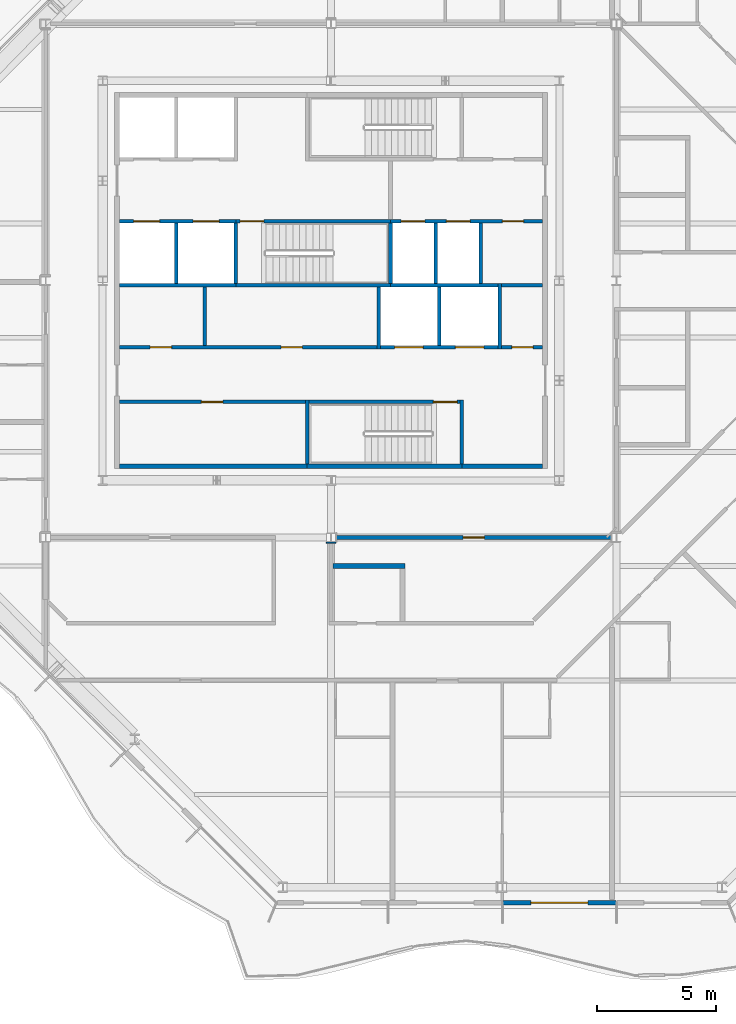
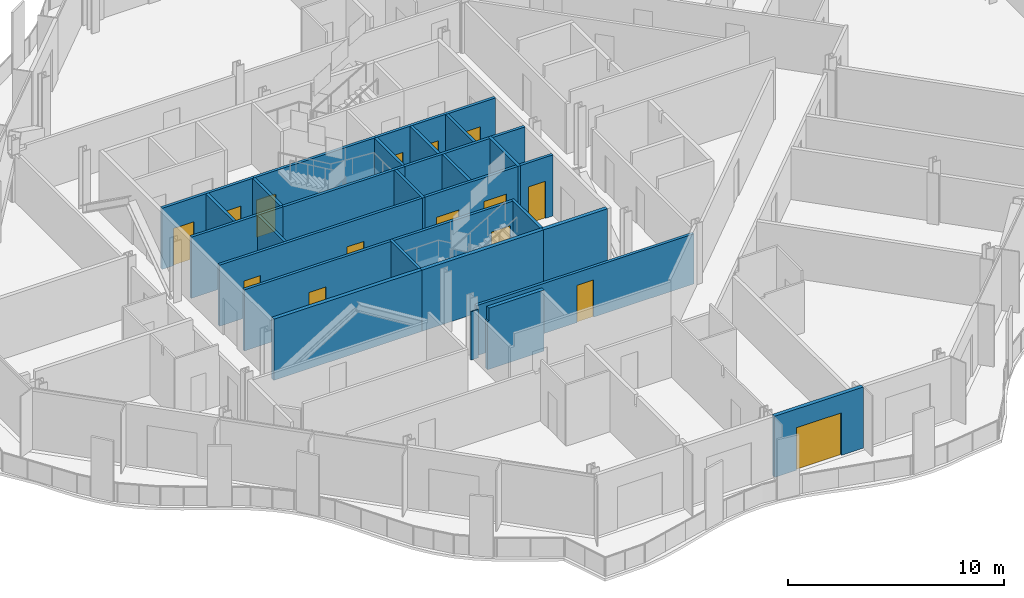
# One storey, part 8 of 17: 30 walls, 15 doors, 15 openings.
"""IFC4 building model written with IfcOpenShell, lengths in metres."""

from ifc_helpers import new_model, si_unit, direction, frame, frame_2d, origin, place, context, subcontext, project, spatial, polyline, rectangle, outline, extrude, material, layer, layer_set, type_object, element, fill, save


model = new_model("IFC4")

# Units and contexts
model_context = context("Model", 3, precision=1e-05, world=origin(), true_north=direction((0.0, 1.0)))
body_context = subcontext(model_context, "Body", "Model", "MODEL_VIEW")
ifc_project = project(units=[si_unit("LENGTHUNIT", "METRE"), si_unit("AREAUNIT", "SQUARE_METRE"), si_unit("VOLUMEUNIT", "CUBIC_METRE"), si_unit("PLANEANGLEUNIT", "RADIAN"), si_unit("MASSUNIT", "GRAM", prefix="KILO")], contexts=[model_context])

# Site, building, storey
site_placement = place(None, origin())
site = spatial("IfcSite", under=ifc_project, at=site_placement, CompositionType="ELEMENT")
building_placement = place(site_placement, origin())
building = spatial("IfcBuilding", under=site, at=building_placement, Name="Cairn Pilgrim Tower", CompositionType="ELEMENT")
storey_placement = place(building_placement, frame((0.0, 0.0, 228.60009765625)))
storey = spatial("IfcBuildingStorey", under=building, at=storey_placement, Name="L58", CompositionType="ELEMENT", Elevation=228.60009765625)

# Wall, opening, door
ifc_material_1 = material(Name="Bronze anodised aluminium insulated sandwich panel with mineral wool fill", Category="aluminium")
ifc_layer_1 = layer(ifc_material_1, 0.199951171875)
ifc_layer_set_1 = layer_set([ifc_layer_1], Name="BRONZE INFILL FRAME WALL 200")
wall_type_1 = type_object("IfcWallType", Name="BRONZE INFILL FRAME WALL 200", PredefinedType="NOTDEFINED", material=ifc_layer_set_1)
wall_1_placement = place(storey_placement, frame((14.429931640625, -23.75, 0.0), z_axis=(0.0, 0.0, 1.0), x_axis=(1.0, 0.0, 0.0)))
wall_1 = element("IfcWall", 1, at=wall_1_placement, inside=storey, type_object=wall_type_1, Name="Bronze infill frame wall IW-S3", PredefinedType="NOTDEFINED", context=body_context, shape_type="SweptSolid", body=[
    extrude(rectangle(XDim=4.739990234375, YDim=0.199951171875, at=frame_2d((2.3701171875, 0.0))), origin(), (0.0, 0.0, 1.0), 3.449951171875),
])
opening_1_placement = place(wall_1_placement, frame((1.169921875, 0.0, 0.0)))
opening_1 = element("IfcOpeningElement", 2, at=opening_1_placement, cuts=wall_1, Name="Opening 5814SB", PredefinedType="OPENING", context=body_context, shape_type="SweptSolid", body=[
    extrude(rectangle(XDim=2.39990234375, YDim=2.39990234375, at=frame_2d((1.199951171875, 1.199951171875))), frame((0.0, 0.10986328125, 0.0), z_axis=(0.0, -1.0, 0.0), x_axis=(1.0, 0.0, 0.0)), (0.0, 0.0, 1.0), 0.219970703125),
])
ifc_material_2 = material(Name="Bronze anodised aluminium frame with tinted low-E glass", Category="aluminium")
door_type_1 = type_object("IfcDoorType", Name="BALCONY SLIDING DOOR 2400x2400", OperationType="DOUBLE_DOOR_SLIDING", PredefinedType="DOOR", material=ifc_material_2)
door_1_placement = place(opening_1_placement, origin())
door_1 = element("IfcDoor", 3, at=door_1_placement, inside=storey, type_object=door_type_1, Name="Balcony sliding door 5814SB", OperationType="SINGLE_SWING_LEFT", OverallHeight=2.39990234375, OverallWidth=2.39990234375, PredefinedType="DOOR", context=body_context, shape_type="SweptSolid", body=[
    extrude(rectangle(XDim=2.39990234375, YDim=2.39990234375, at=frame_2d((1.199951171875, 1.199951171875))), frame((0.0, 0.02490234375, 0.0), z_axis=(0.0, -1.0, 0.0), x_axis=(1.0, 0.0, 0.0)), (0.0, 0.0, 1.0), 0.050048828125),
])
fill(opening_1, door_1)

# Walls
ifc_material_3 = material(Name="Concrete C32/40", Category="concrete")
ifc_layer_2 = layer(ifc_material_3, 0.199951171875)
ifc_layer_set_2 = layer_set([ifc_layer_2], Name="CORE OUTER WALL 200 EI 120")
wall_type_2 = type_object("IfcWallType", Name="CORE OUTER WALL 200 EI 120", PredefinedType="SOLIDWALL", material=ifc_layer_set_2)
wall_2_placement = place(storey_placement, frame((-1.699951171875, -5.39990234375, 0.0), z_axis=(0.0, 0.0, 1.0), x_axis=(1.0, 0.0, 0.0)))
element("IfcWall", 4, at=wall_2_placement, inside=storey, type_object=wall_type_2, Name="CW:L58:H01-1", PredefinedType="SOLIDWALL", context=body_context, shape_type="SweptSolid", body=[
    extrude(rectangle(XDim=7.89990234375, YDim=0.199951171875, at=frame_2d((3.949951171875, 0.0))), origin(), (0.0, 0.0, 1.0), 3.449951171875),
])
wall_3_placement = place(storey_placement, frame((12.699951171875, -5.39990234375, 0.0), z_axis=(0.0, 0.0, 1.0), x_axis=(1.0, 0.0, 0.0)))
element("IfcWall", 5, at=wall_3_placement, inside=storey, type_object=wall_type_2, Name="CW:L58:H01-3", PredefinedType="SOLIDWALL", context=body_context, shape_type="SweptSolid", body=[
    extrude(rectangle(XDim=3.400146484375, YDim=0.199951171875, at=frame_2d((1.7001953125, 0.0))), origin(), (0.0, 0.0, 1.0), 3.449951171875),
])

# Wall, opening, door
ifc_layer_3 = layer(ifc_material_3, 0.14990234375)
ifc_layer_set_3 = layer_set([ifc_layer_3], Name="CORE PARTITION 150 EI 60")
wall_type_3 = type_object("IfcWallType", Name="CORE PARTITION 150 EI 60", PredefinedType="PARTITIONING", material=ifc_layer_set_3)
wall_4_placement = place(storey_placement, frame((-1.699951171875, -2.699951171875, 0.0), z_axis=(0.0, 0.0, 1.0), x_axis=(1.0, 0.0, 0.0)))
wall_4 = element("IfcWall", 6, at=wall_4_placement, inside=storey, type_object=wall_type_3, Name="CW:L58:H02", PredefinedType="PARTITIONING", context=body_context, shape_type="SweptSolid", body=[
    extrude(rectangle(XDim=7.824951171875, YDim=0.14990234375, at=frame_2d((3.91259765625, 0.0))), origin(), (0.0, 0.0, 1.0), 3.449951171875),
])
opening_2_placement = place(wall_4_placement, frame((3.449951171875, 0.0, 0.0)))
opening_2 = element("IfcOpeningElement", 7, at=opening_2_placement, cuts=wall_4, Name="Opening RD-R1W1", PredefinedType="OPENING", context=body_context, shape_type="SweptSolid", body=[
    extrude(rectangle(XDim=0.89990234375, YDim=2.10009765625, at=frame_2d((0.449951171875, 1.050048828125))), frame((0.0, 0.0849609375, 0.0), z_axis=(0.0, -1.0, 0.0), x_axis=(1.0, 0.0, 0.0)), (0.0, 0.0, 1.0), 0.169921875),
])
ifc_material_4 = material(Name="Painted steel", Category="steel")
door_type_2 = type_object("IfcDoorType", Name="SERVICE ROOM DOOR 900x2100", OperationType="SINGLE_SWING_LEFT", PredefinedType="DOOR", material=ifc_material_4)
door_2_placement = place(opening_2_placement, origin())
door_2 = element("IfcDoor", 8, at=door_2_placement, inside=storey, type_object=door_type_2, Name="RD-R1W1", OperationType="SINGLE_SWING_LEFT", OverallHeight=2.10009765625, OverallWidth=0.89990234375, PredefinedType="DOOR", context=body_context, shape_type="SweptSolid", body=[
    extrude(rectangle(XDim=0.89990234375, YDim=2.10009765625, at=frame_2d((0.449951171875, 1.050048828125))), frame((0.0, 0.02490234375, 0.0), z_axis=(0.0, -1.0, 0.0), x_axis=(1.0, 0.0, 0.0)), (0.0, 0.0, 1.0), 0.050048828125),
])
fill(opening_2, door_2)

# Wall, openings, doors
wall_5_placement = place(storey_placement, frame((-1.699951171875, -0.39990234375, 0.0), z_axis=(0.0, 0.0, 1.0), x_axis=(1.0, 0.0, 0.0)))
wall_5 = element("IfcWall", 9, at=wall_5_placement, inside=storey, type_object=wall_type_3, Name="CW:L58:H04", PredefinedType="PARTITIONING", context=body_context, shape_type="SweptSolid", body=[
    extrude(rectangle(XDim=10.824951171875, YDim=0.14990234375, at=frame_2d((5.41259765625, 0.0))), origin(), (0.0, 0.0, 1.0), 3.449951171875),
])
opening_3_placement = place(wall_5_placement, frame((1.300048828125, 0.0, 0.0)))
opening_3 = element("IfcOpeningElement", 10, at=opening_3_placement, cuts=wall_5, Name="Opening RD-R2W1", PredefinedType="OPENING", context=body_context, shape_type="SweptSolid", body=[
    extrude(rectangle(XDim=0.89990234375, YDim=2.10009765625, at=frame_2d((0.449951171875, 1.050048828125))), frame((0.0, 0.0849609375, 0.0), z_axis=(0.0, -1.0, 0.0), x_axis=(1.0, 0.0, 0.0)), (0.0, 0.0, 1.0), 0.169921875),
])
opening_4_placement = place(wall_5_placement, frame((6.800048828125, 0.0, 0.0)))
opening_4 = element("IfcOpeningElement", 11, at=opening_4_placement, cuts=wall_5, Name="Opening RD-R2W2", PredefinedType="OPENING", context=body_context, shape_type="SweptSolid", body=[
    extrude(rectangle(XDim=0.89990234375, YDim=2.10009765625, at=frame_2d((0.449951171875, 1.050048828125))), frame((0.0, 0.0849609375, 0.0), z_axis=(0.0, -1.0, 0.0), x_axis=(1.0, 0.0, 0.0)), (0.0, 0.0, 1.0), 0.169921875),
])
door_3_placement = place(opening_3_placement, origin())
door_3 = element("IfcDoor", 12, at=door_3_placement, inside=storey, type_object=door_type_2, Name="RD-R2W1", OperationType="SINGLE_SWING_RIGHT", OverallHeight=2.10009765625, OverallWidth=0.89990234375, PredefinedType="DOOR", context=body_context, shape_type="SweptSolid", body=[
    extrude(rectangle(XDim=0.89990234375, YDim=2.10009765625, at=frame_2d((0.449951171875, 1.050048828125))), frame((0.0, 0.02490234375, 0.0), z_axis=(0.0, -1.0, 0.0), x_axis=(1.0, 0.0, 0.0)), (0.0, 0.0, 1.0), 0.050048828125),
])
fill(opening_3, door_3)
door_4_placement = place(opening_4_placement, origin())
door_4 = element("IfcDoor", 13, at=door_4_placement, inside=storey, type_object=door_type_2, Name="RD-R2W2", OperationType="SINGLE_SWING_LEFT", OverallHeight=2.10009765625, OverallWidth=0.89990234375, PredefinedType="DOOR", context=body_context, shape_type="SweptSolid", body=[
    extrude(rectangle(XDim=0.89990234375, YDim=2.10009765625, at=frame_2d((0.449951171875, 1.050048828125))), frame((0.0, 0.02490234375, 0.0), z_axis=(0.0, -1.0, 0.0), x_axis=(1.0, 0.0, 0.0)), (0.0, 0.0, 1.0), 0.050048828125),
])
fill(opening_4, door_4)

# Wall, opening, door
wall_6_placement = place(storey_placement, frame((14.375, -0.39990234375, 0.0), z_axis=(0.0, 0.0, 1.0), x_axis=(1.0, 0.0, 0.0)))
wall_6 = element("IfcWall", 14, at=wall_6_placement, inside=storey, type_object=wall_type_3, Name="CW:L58:H06", PredefinedType="PARTITIONING", context=body_context, shape_type="SweptSolid", body=[
    extrude(rectangle(XDim=1.72509765625, YDim=0.14990234375, at=frame_2d((0.862548828125, 0.0))), origin(), (0.0, 0.0, 1.0), 3.449951171875),
])
opening_5_placement = place(wall_6_placement, frame((0.425048828125, 0.0, 0.0)))
opening_5 = element("IfcOpeningElement", 15, at=opening_5_placement, cuts=wall_6, Name="Opening RD-R2E", PredefinedType="OPENING", context=body_context, shape_type="SweptSolid", body=[
    extrude(rectangle(XDim=0.89990234375, YDim=2.10009765625, at=frame_2d((0.449951171875, 1.050048828125))), frame((0.0, 0.0849609375, 0.0), z_axis=(0.0, -1.0, 0.0), x_axis=(1.0, 0.0, 0.0)), (0.0, 0.0, 1.0), 0.169921875),
])
door_5_placement = place(opening_5_placement, origin())
door_5 = element("IfcDoor", 16, at=door_5_placement, inside=storey, type_object=door_type_2, Name="RD-R2E", OperationType="SINGLE_SWING_RIGHT", OverallHeight=2.10009765625, OverallWidth=0.89990234375, PredefinedType="DOOR", context=body_context, shape_type="SweptSolid", body=[
    extrude(rectangle(XDim=0.89990234375, YDim=2.10009765625, at=frame_2d((0.449951171875, 1.050048828125))), frame((0.0, 0.02490234375, 0.0), z_axis=(0.0, -1.0, 0.0), x_axis=(1.0, 0.0, 0.0)), (0.0, 0.0, 1.0), 0.050048828125),
])
fill(opening_5, door_5)

# Walls
wall_7_placement = place(storey_placement, frame((14.375, 2.199951171875, 0.0), z_axis=(0.0, 0.0, 1.0), x_axis=(1.0, 0.0, 0.0)))
element("IfcWall", 17, at=wall_7_placement, inside=storey, type_object=wall_type_3, Name="CW:L58:H08", PredefinedType="PARTITIONING", context=body_context, shape_type="SweptSolid", body=[
    extrude(rectangle(XDim=1.72509765625, YDim=0.14990234375, at=frame_2d((0.862548828125, 0.0))), origin(), (0.0, 0.0, 1.0), 3.449951171875),
])
wall_8_placement = place(storey_placement, frame((1.89990234375, -0.324951171875, 0.0), z_axis=(0.0, 0.0, 1.0), x_axis=(0.0, 1.0, 0.0)))
element("IfcWall", 18, at=wall_8_placement, inside=storey, type_object=wall_type_3, Name="CW:L58:V16", PredefinedType="PARTITIONING", context=body_context, shape_type="SweptSolid", body=[
    extrude(rectangle(XDim=2.449951171875, YDim=0.14990234375, at=frame_2d((1.22509765625, 0.0))), origin(), (0.0, 0.0, 1.0), 3.449951171875),
])

# Wall, openings, doors
ifc_layer_4 = layer(ifc_material_3, 0.14990234375)
ifc_layer_set_4 = layer_set([ifc_layer_4], Name="CORE SHAFT WALL 150 EI 120")
wall_type_4 = type_object("IfcWallType", Name="CORE SHAFT WALL 150 EI 120", PredefinedType="SOLIDWALL", material=ifc_layer_set_4)
wall_9_placement = place(storey_placement, frame((9.27490234375, -0.39990234375, 0.0), z_axis=(0.0, 0.0, 1.0), x_axis=(1.0, 0.0, 0.0)))
wall_9 = element("IfcWall", 19, at=wall_9_placement, inside=storey, type_object=wall_type_4, Name="CW:L58:H05", PredefinedType="SOLIDWALL", context=body_context, shape_type="SweptSolid", body=[
    extrude(rectangle(XDim=4.9501953125, YDim=0.14990234375, at=frame_2d((2.47509765625, 0.0))), origin(), (0.0, 0.0, 1.0), 3.449951171875),
])
opening_6_placement = place(wall_9_placement, frame((0.60009765625, 0.0, 0.0)))
opening_6 = element("IfcOpeningElement", 20, at=opening_6_placement, cuts=wall_9, Name="Opening LD-SV1", PredefinedType="OPENING", context=body_context, shape_type="SweptSolid", body=[
    extrude(rectangle(XDim=1.199951171875, YDim=2.10009765625, at=frame_2d((0.60009765625, 1.050048828125))), frame((0.0, 0.0849609375, 0.0), z_axis=(0.0, -1.0, 0.0), x_axis=(1.0, 0.0, 0.0)), (0.0, 0.0, 1.0), 0.169921875),
])
opening_7_placement = place(wall_9_placement, frame((3.14990234375, 0.0, 0.0)))
opening_7 = element("IfcOpeningElement", 21, at=opening_7_placement, cuts=wall_9, Name="Opening LD-SV2", PredefinedType="OPENING", context=body_context, shape_type="SweptSolid", body=[
    extrude(rectangle(XDim=1.199951171875, YDim=2.10009765625, at=frame_2d((0.60009765625, 1.050048828125))), frame((0.0, 0.0849609375, 0.0), z_axis=(0.0, -1.0, 0.0), x_axis=(1.0, 0.0, 0.0)), (0.0, 0.0, 1.0), 0.169921875),
])
ifc_material_5 = material(Name="Stainless steel", Category="steel")
door_type_3 = type_object("IfcDoorType", Name="LIFT LANDING DOOR 1200x2100", OperationType="DOUBLE_DOOR_SLIDING", PredefinedType="DOOR", material=ifc_material_5)
door_6_placement = place(opening_6_placement, origin())
door_6 = element("IfcDoor", 22, at=door_6_placement, inside=storey, type_object=door_type_3, Name="LANDING DOOR SV1", OperationType="DOUBLE_DOOR_SLIDING", OverallHeight=2.10009765625, OverallWidth=1.199951171875, PredefinedType="DOOR", context=body_context, shape_type="SweptSolid", body=[
    extrude(rectangle(XDim=1.199951171875, YDim=2.10009765625, at=frame_2d((0.60009765625, 1.050048828125))), frame((0.0, 0.02490234375, 0.0), z_axis=(0.0, -1.0, 0.0), x_axis=(1.0, 0.0, 0.0)), (0.0, 0.0, 1.0), 0.050048828125),
])
fill(opening_6, door_6)
door_7_placement = place(opening_7_placement, origin())
door_7 = element("IfcDoor", 23, at=door_7_placement, inside=storey, type_object=door_type_3, Name="LANDING DOOR SV2", OperationType="DOUBLE_DOOR_SLIDING", OverallHeight=2.10009765625, OverallWidth=1.199951171875, PredefinedType="DOOR", context=body_context, shape_type="SweptSolid", body=[
    extrude(rectangle(XDim=1.199951171875, YDim=2.10009765625, at=frame_2d((0.60009765625, 1.050048828125))), frame((0.0, 0.02490234375, 0.0), z_axis=(0.0, -1.0, 0.0), x_axis=(1.0, 0.0, 0.0)), (0.0, 0.0, 1.0), 0.050048828125),
])
fill(opening_7, door_7)

# Walls
wall_10_placement = place(storey_placement, frame((-1.699951171875, 2.199951171875, 0.0), z_axis=(0.0, 0.0, 1.0), x_axis=(1.0, 0.0, 0.0)))
element("IfcWall", 24, at=wall_10_placement, inside=storey, type_object=wall_type_4, Name="CW:L58:H07-1", PredefinedType="SOLIDWALL", context=body_context, shape_type="SweptSolid", body=[
    extrude(rectangle(XDim=4.89990234375, YDim=0.14990234375, at=frame_2d((2.449951171875, 0.0))), origin(), (0.0, 0.0, 1.0), 3.449951171875),
])
wall_11_placement = place(storey_placement, frame((9.699951171875, 2.199951171875, 0.0), z_axis=(0.0, 0.0, 1.0), x_axis=(1.0, 0.0, 0.0)))
element("IfcWall", 25, at=wall_11_placement, inside=storey, type_object=wall_type_4, Name="CW:L58:H07-3", PredefinedType="SOLIDWALL", context=body_context, shape_type="SweptSolid", body=[
    extrude(rectangle(XDim=4.525146484375, YDim=0.14990234375, at=frame_2d((2.2626953125, 0.0))), origin(), (0.0, 0.0, 1.0), 3.449951171875),
])

# Wall, openings, doors
wall_12_placement = place(storey_placement, frame((-1.699951171875, 4.89990234375, 0.0), z_axis=(0.0, 0.0, 1.0), x_axis=(1.0, 0.0, 0.0)))
wall_12 = element("IfcWall", 26, at=wall_12_placement, inside=storey, type_object=wall_type_4, Name="CW:L58:H09-1", PredefinedType="SOLIDWALL", context=body_context, shape_type="SweptSolid", body=[
    extrude(rectangle(XDim=4.89990234375, YDim=0.14990234375, at=frame_2d((2.449951171875, 0.0))), origin(), (0.0, 0.0, 1.0), 3.449951171875),
])
opening_8_placement = place(wall_12_placement, frame((0.60009765625, 0.0, 0.0)))
opening_8 = element("IfcOpeningElement", 27, at=opening_8_placement, cuts=wall_12, Name="Opening LD-HR1", PredefinedType="OPENING", context=body_context, shape_type="SweptSolid", body=[
    extrude(rectangle(XDim=1.10009765625, YDim=2.10009765625, at=frame_2d((0.550048828125, 1.050048828125))), frame((0.0, 0.0849609375, 0.0), z_axis=(0.0, -1.0, 0.0), x_axis=(1.0, 0.0, 0.0)), (0.0, 0.0, 1.0), 0.169921875),
])
opening_9_placement = place(wall_12_placement, frame((3.10009765625, 0.0, 0.0)))
opening_9 = element("IfcOpeningElement", 28, at=opening_9_placement, cuts=wall_12, Name="Opening LD-HR2", PredefinedType="OPENING", context=body_context, shape_type="SweptSolid", body=[
    extrude(rectangle(XDim=1.10009765625, YDim=2.10009765625, at=frame_2d((0.550048828125, 1.050048828125))), frame((0.0, 0.0849609375, 0.0), z_axis=(0.0, -1.0, 0.0), x_axis=(1.0, 0.0, 0.0)), (0.0, 0.0, 1.0), 0.169921875),
])
door_type_4 = type_object("IfcDoorType", Name="LIFT LANDING DOOR 1100x2100", OperationType="DOUBLE_DOOR_SLIDING", PredefinedType="DOOR", material=ifc_material_5)
door_8_placement = place(opening_8_placement, origin())
door_8 = element("IfcDoor", 29, at=door_8_placement, inside=storey, type_object=door_type_4, Name="LANDING DOOR HR1", OperationType="DOUBLE_DOOR_SLIDING", OverallHeight=2.10009765625, OverallWidth=1.10009765625, PredefinedType="DOOR", context=body_context, shape_type="SweptSolid", body=[
    extrude(rectangle(XDim=1.10009765625, YDim=2.10009765625, at=frame_2d((0.550048828125, 1.050048828125))), frame((0.0, 0.02490234375, 0.0), z_axis=(0.0, -1.0, 0.0), x_axis=(1.0, 0.0, 0.0)), (0.0, 0.0, 1.0), 0.050048828125),
])
fill(opening_8, door_8)
door_9_placement = place(opening_9_placement, origin())
door_9 = element("IfcDoor", 30, at=door_9_placement, inside=storey, type_object=door_type_4, Name="LANDING DOOR HR2", OperationType="DOUBLE_DOOR_SLIDING", OverallHeight=2.10009765625, OverallWidth=1.10009765625, PredefinedType="DOOR", context=body_context, shape_type="SweptSolid", body=[
    extrude(rectangle(XDim=1.10009765625, YDim=2.10009765625, at=frame_2d((0.550048828125, 1.050048828125))), frame((0.0, 0.02490234375, 0.0), z_axis=(0.0, -1.0, 0.0), x_axis=(1.0, 0.0, 0.0)), (0.0, 0.0, 1.0), 0.050048828125),
])
fill(opening_9, door_9)

wall_13_placement = place(storey_placement, frame((9.699951171875, 4.89990234375, 0.0), z_axis=(0.0, 0.0, 1.0), x_axis=(1.0, 0.0, 0.0)))
wall_13 = element("IfcWall", 31, at=wall_13_placement, inside=storey, type_object=wall_type_4, Name="CW:L58:H09-3", PredefinedType="SOLIDWALL", context=body_context, shape_type="SweptSolid", body=[
    extrude(rectangle(XDim=6.400146484375, YDim=0.14990234375, at=frame_2d((3.2001953125, 0.0))), origin(), (0.0, 0.0, 1.0), 3.449951171875),
])
opening_10_placement = place(wall_13_placement, frame((0.449951171875, 0.0, 0.0)))
opening_10 = element("IfcOpeningElement", 32, at=opening_10_placement, cuts=wall_13, Name="Opening LD-FF1", PredefinedType="OPENING", context=body_context, shape_type="SweptSolid", body=[
    extrude(rectangle(XDim=1.0, YDim=2.10009765625, at=frame_2d((0.5, 1.050048828125))), frame((0.0, 0.0849609375, 0.0), z_axis=(0.0, -1.0, 0.0), x_axis=(1.0, 0.0, 0.0)), (0.0, 0.0, 1.0), 0.169921875),
])
opening_11_placement = place(wall_13_placement, frame((2.35009765625, 0.0, 0.0)))
opening_11 = element("IfcOpeningElement", 33, at=opening_11_placement, cuts=wall_13, Name="Opening LD-FF2", PredefinedType="OPENING", context=body_context, shape_type="SweptSolid", body=[
    extrude(rectangle(XDim=1.0, YDim=2.10009765625, at=frame_2d((0.5, 1.050048828125))), frame((0.0, 0.0849609375, 0.0), z_axis=(0.0, -1.0, 0.0), x_axis=(1.0, 0.0, 0.0)), (0.0, 0.0, 1.0), 0.169921875),
])
opening_12_placement = place(wall_13_placement, frame((4.699951171875, 0.0, 0.0)))
opening_12 = element("IfcOpeningElement", 34, at=opening_12_placement, cuts=wall_13, Name="Opening RD-R3E", PredefinedType="OPENING", context=body_context, shape_type="SweptSolid", body=[
    extrude(rectangle(XDim=0.89990234375, YDim=2.10009765625, at=frame_2d((0.449951171875, 1.050048828125))), frame((0.0, 0.0849609375, 0.0), z_axis=(0.0, -1.0, 0.0), x_axis=(1.0, 0.0, 0.0)), (0.0, 0.0, 1.0), 0.169921875),
])
door_type_5 = type_object("IfcDoorType", Name="LIFT LANDING DOOR FIRE 1000x2100", OperationType="DOUBLE_DOOR_SLIDING", PredefinedType="DOOR", material=ifc_material_5)
door_10_placement = place(opening_10_placement, origin())
door_10 = element("IfcDoor", 35, at=door_10_placement, inside=storey, type_object=door_type_5, Name="LANDING DOOR FF1", OperationType="DOUBLE_DOOR_SLIDING", OverallHeight=2.10009765625, OverallWidth=1.0, PredefinedType="DOOR", context=body_context, shape_type="SweptSolid", body=[
    extrude(rectangle(XDim=1.0, YDim=2.10009765625, at=frame_2d((0.5, 1.050048828125))), frame((0.0, 0.02490234375, 0.0), z_axis=(0.0, -1.0, 0.0), x_axis=(1.0, 0.0, 0.0)), (0.0, 0.0, 1.0), 0.050048828125),
])
fill(opening_10, door_10)
door_11_placement = place(opening_11_placement, origin())
door_11 = element("IfcDoor", 36, at=door_11_placement, inside=storey, type_object=door_type_5, Name="LANDING DOOR FF2", OperationType="DOUBLE_DOOR_SLIDING", OverallHeight=2.10009765625, OverallWidth=1.0, PredefinedType="DOOR", context=body_context, shape_type="SweptSolid", body=[
    extrude(rectangle(XDim=1.0, YDim=2.10009765625, at=frame_2d((0.5, 1.050048828125))), frame((0.0, 0.02490234375, 0.0), z_axis=(0.0, -1.0, 0.0), x_axis=(1.0, 0.0, 0.0)), (0.0, 0.0, 1.0), 0.050048828125),
])
fill(opening_11, door_11)
door_12_placement = place(opening_12_placement, origin())
door_12 = element("IfcDoor", 37, at=door_12_placement, inside=storey, type_object=door_type_2, Name="RD-R3E", OperationType="SINGLE_SWING_LEFT", OverallHeight=2.10009765625, OverallWidth=0.89990234375, PredefinedType="DOOR", context=body_context, shape_type="SweptSolid", body=[
    extrude(rectangle(XDim=0.89990234375, YDim=2.10009765625, at=frame_2d((0.449951171875, 1.050048828125))), frame((0.0, 0.02490234375, 0.0), z_axis=(0.0, -1.0, 0.0), x_axis=(1.0, 0.0, 0.0)), (0.0, 0.0, 1.0), 0.050048828125),
])
fill(opening_12, door_12)

# Walls
wall_14_placement = place(storey_placement, frame((0.699951171875, 2.27490234375, 0.0), z_axis=(0.0, 0.0, 1.0), x_axis=(0.0, 1.0, 0.0)))
element("IfcWall", 38, at=wall_14_placement, inside=storey, type_object=wall_type_4, Name="CW:L58:V14", PredefinedType="SOLIDWALL", context=body_context, shape_type="SweptSolid", body=[
    extrude(rectangle(XDim=2.550048828125, YDim=0.14990234375, at=frame_2d((1.27490234375, 0.0))), origin(), (0.0, 0.0, 1.0), 3.449951171875),
])
wall_15_placement = place(storey_placement, frame((9.199951171875, -0.47509765625, 0.0), z_axis=(0.0, 0.0, 1.0), x_axis=(0.0, 1.0, 0.0)))
element("IfcWall", 39, at=wall_15_placement, inside=storey, type_object=wall_type_4, Name="CW:L58:V21", PredefinedType="SOLIDWALL", context=body_context, shape_type="SweptSolid", body=[
    extrude(rectangle(XDim=2.60009765625, YDim=0.14990234375, at=frame_2d((1.300048828125, 0.0))), origin(), (0.0, 0.0, 1.0), 3.449951171875),
])
wall_16_placement = place(storey_placement, frame((11.60009765625, 2.27490234375, 0.0), z_axis=(0.0, 0.0, 1.0), x_axis=(0.0, 1.0, 0.0)))
element("IfcWall", 40, at=wall_16_placement, inside=storey, type_object=wall_type_4, Name="CW:L58:V24", PredefinedType="SOLIDWALL", context=body_context, shape_type="SweptSolid", body=[
    extrude(rectangle(XDim=2.550048828125, YDim=0.14990234375, at=frame_2d((1.27490234375, 0.0))), origin(), (0.0, 0.0, 1.0), 3.449951171875),
])
wall_17_placement = place(storey_placement, frame((11.75, -0.324951171875, 0.0), z_axis=(0.0, 0.0, 1.0), x_axis=(0.0, 1.0, 0.0)))
element("IfcWall", 41, at=wall_17_placement, inside=storey, type_object=wall_type_4, Name="CW:L58:V25", PredefinedType="SOLIDWALL", context=body_context, shape_type="SweptSolid", body=[
    extrude(rectangle(XDim=2.449951171875, YDim=0.14990234375, at=frame_2d((1.22509765625, 0.0))), origin(), (0.0, 0.0, 1.0), 3.449951171875),
])
wall_18_placement = place(storey_placement, frame((13.5, 2.27490234375, 0.0), z_axis=(0.0, 0.0, 1.0), x_axis=(0.0, 1.0, 0.0)))
element("IfcWall", 42, at=wall_18_placement, inside=storey, type_object=wall_type_4, Name="CW:L58:V28", PredefinedType="SOLIDWALL", context=body_context, shape_type="SweptSolid", body=[
    extrude(rectangle(XDim=2.550048828125, YDim=0.14990234375, at=frame_2d((1.27490234375, 0.0))), origin(), (0.0, 0.0, 1.0), 3.449951171875),
])
wall_19_placement = place(storey_placement, frame((14.300048828125, -0.47509765625, 0.0), z_axis=(0.0, 0.0, 1.0), x_axis=(0.0, 1.0, 0.0)))
element("IfcWall", 43, at=wall_19_placement, inside=storey, type_object=wall_type_4, Name="CW:L58:V29", PredefinedType="SOLIDWALL", context=body_context, shape_type="SweptSolid", body=[
    extrude(rectangle(XDim=2.75, YDim=0.14990234375, at=frame_2d((1.375, 0.0))), origin(), (0.0, 0.0, 1.0), 3.449951171875),
])

# Wall, opening, door
ifc_material_6 = material(Name="Gypsum partition")
ifc_layer_5 = layer(ifc_material_6, 0.14990234375)
ifc_layer_set_5 = layer_set([ifc_layer_5], Name="PARTITION 150 DRYWALL EI 60")
wall_type_5 = type_object("IfcWallType", Name="PARTITION 150 DRYWALL EI 60", PredefinedType="PARTITIONING", material=ifc_layer_set_5)
wall_20_placement = place(storey_placement, frame((7.3994140625, -8.39990234375, 0.0), z_axis=(0.0, 0.0, 1.0), x_axis=(1.0, 0.0, 0.0)))
wall_20 = element("IfcWall", 44, at=wall_20_placement, inside=storey, type_object=wall_type_5, Name="PARTITION W031", PredefinedType="PARTITIONING", context=body_context, shape_type="SweptSolid", body=[
    extrude(rectangle(XDim=11.60107421875, YDim=0.14990234375, at=frame_2d((5.800537109375, 0.0))), origin(), (0.0, 0.0, 1.0), 2.829833984375),
])
opening_13_placement = place(wall_20_placement, frame((5.3505859375, 0.0, 0.0)))
opening_13 = element("IfcOpeningElement", 45, at=opening_13_placement, cuts=wall_20, Name="Opening 5823", PredefinedType="OPENING", context=body_context, shape_type="SweptSolid", body=[
    extrude(rectangle(XDim=0.89990234375, YDim=2.10009765625, at=frame_2d((0.449951171875, 1.050048828125))), frame((0.0, 0.0849609375, 0.0), z_axis=(0.0, -1.0, 0.0), x_axis=(1.0, 0.0, 0.0)), (0.0, 0.0, 1.0), 0.169921875),
])
ifc_material_7 = material(Name="Timber door leaf", Category="wood")
door_type_6 = type_object("IfcDoorType", Name="SERVICE DOOR 900x2100 FD30S", OperationType="NOTDEFINED", PredefinedType="DOOR", material=ifc_material_7)
door_13_placement = place(opening_13_placement, frame((0.89990234375, 0.0, 0.0), z_axis=(0.0, 0.0, 1.0), x_axis=(-1.0, 0.0, 0.0)))
door_13 = element("IfcDoor", 46, at=door_13_placement, inside=storey, type_object=door_type_6, Name="DOOR 5823", OperationType="SINGLE_SWING_LEFT", OverallHeight=2.10009765625, OverallWidth=0.89990234375, PredefinedType="DOOR", context=body_context, shape_type="SweptSolid", body=[
    extrude(rectangle(XDim=0.89990234375, YDim=2.10009765625, at=frame_2d((0.449951171875, 1.050048828125))), frame((0.0, 0.02490234375, 0.0), z_axis=(0.0, -1.0, 0.0), x_axis=(1.0, 0.0, 0.0)), (0.0, 0.0, 1.0), 0.050048828125),
])
fill(opening_13, door_13)

# Walls
ifc_layer_6 = layer(ifc_material_6, 0.050048828125)
ifc_layer_set_6 = layer_set([ifc_layer_6], Name="PARTITION 50 DRYWALL EI 60")
wall_type_6 = type_object("IfcWallType", Name="PARTITION 50 DRYWALL EI 60", PredefinedType="PARTITIONING", material=ifc_layer_set_6)
wall_21_placement = place(storey_placement, frame((7.00048828125, -8.62158203125, 0.0), z_axis=(0.0, 0.0, 1.0), x_axis=(1.0, 0.0, 0.0)))
element("IfcWall", 47, at=wall_21_placement, inside=storey, type_object=wall_type_6, Name="COLUMN CASING WC12", PredefinedType="PARTITIONING", context=body_context, shape_type="SweptSolid", body=[
    extrude(rectangle(XDim=0.39892578125, YDim=0.050048828125, at=frame_2d((0.199462890625, 0.0))), origin(), (0.0, 0.0, 1.0), 2.72998046875),
])
ifc_layer_7 = layer(ifc_material_6, 0.199951171875)
ifc_layer_set_7 = layer_set([ifc_layer_7], Name="SHAFT WALL 200 GYPSUM EI 60")
wall_type_7 = type_object("IfcWallType", Name="SHAFT WALL 200 GYPSUM EI 60", PredefinedType="PARTITIONING", material=ifc_layer_set_7)
wall_22_placement = place(storey_placement, frame((7.27490234375, -9.60009765625, 0.0), z_axis=(0.0, 0.0, 1.0), x_axis=(1.0, 0.0, 0.0)))
element("IfcWall", 48, at=wall_22_placement, inside=storey, type_object=wall_type_7, Name="PARTITION W028", PredefinedType="PARTITIONING", context=body_context, shape_type="SweptSolid", body=[
    extrude(outline(polyline([(0.0, 0.0), (3.025146484375, 0.0), (3.02490234375, 3.449951171875), (0.074951171875, 3.449951171875), (0.072998046875, 2.72998046875), (0.0, 2.72998046875), (0.0, 0.0)])), frame((0.0, 0.10009765625, 0.0), z_axis=(0.0, -1.0, 0.0), x_axis=(1.0, 0.0, 0.0)), (0.0, 0.0, 1.0), 0.199951171875),
])

# Wall, opening, door
ifc_material_8 = material(Name="Concrete C35/45", Category="concrete")
ifc_layer_8 = layer(ifc_material_8, 0.14990234375)
ifc_layer_set_8 = layer_set([ifc_layer_8], Name="STAIR SHAFT WALL 150 EI 120")
wall_type_8 = type_object("IfcWallType", Name="STAIR SHAFT WALL 150 EI 120", PredefinedType="SOLIDWALL", material=ifc_layer_set_8)
wall_23_placement = place(storey_placement, frame((6.27490234375, -2.699951171875, 0.0), z_axis=(0.0, 0.0, 1.0), x_axis=(1.0, 0.0, 0.0)))
wall_23 = element("IfcWall", 49, at=wall_23_placement, inside=storey, type_object=wall_type_8, Name="CW:L58:H03", PredefinedType="SOLIDWALL", context=body_context, shape_type="SweptSolid", body=[
    extrude(rectangle(XDim=6.35009765625, YDim=0.14990234375, at=frame_2d((3.175048828125, 0.0))), origin(), (0.0, 0.0, 1.0), 3.449951171875),
])
opening_14_placement = place(wall_23_placement, frame((5.22509765625, 0.0, 0.0)))
opening_14 = element("IfcOpeningElement", 50, at=opening_14_placement, cuts=wall_23, Name="Opening SD-A", PredefinedType="OPENING", context=body_context, shape_type="SweptSolid", body=[
    extrude(rectangle(XDim=1.0, YDim=2.10009765625, at=frame_2d((0.5, 1.050048828125))), frame((0.0, 0.0849609375, 0.0), z_axis=(0.0, -1.0, 0.0), x_axis=(1.0, 0.0, 0.0)), (0.0, 0.0, 1.0), 0.169921875),
])
door_type_7 = type_object("IfcDoorType", Name="STAIR DOOR FD60S 1000x2100", OperationType="SINGLE_SWING_LEFT", PredefinedType="DOOR", material=ifc_material_4)
door_14_placement = place(opening_14_placement, origin())
door_14 = element("IfcDoor", 51, at=door_14_placement, inside=storey, type_object=door_type_7, Name="SD-A", OperationType="SINGLE_SWING_LEFT", OverallHeight=2.10009765625, OverallWidth=1.0, PredefinedType="DOOR", context=body_context, shape_type="SweptSolid", body=[
    extrude(rectangle(XDim=1.0, YDim=2.10009765625, at=frame_2d((0.5, 1.050048828125))), frame((0.0, 0.02490234375, 0.0), z_axis=(0.0, -1.0, 0.0), x_axis=(1.0, 0.0, 0.0)), (0.0, 0.0, 1.0), 0.050048828125),
])
fill(opening_14, door_14)

# Wall
wall_24_placement = place(storey_placement, frame((3.199951171875, 2.199951171875, 0.0), z_axis=(0.0, 0.0, 1.0), x_axis=(1.0, 0.0, 0.0)))
element("IfcWall", 52, at=wall_24_placement, inside=storey, type_object=wall_type_8, Name="CW:L58:H07-2", PredefinedType="SOLIDWALL", context=body_context, shape_type="SweptSolid", body=[
    extrude(rectangle(XDim=6.5, YDim=0.14990234375, at=frame_2d((3.25, 0.0))), origin(), (0.0, 0.0, 1.0), 3.449951171875),
])

# Wall, opening, door
wall_25_placement = place(storey_placement, frame((3.199951171875, 4.89990234375, 0.0), z_axis=(0.0, 0.0, 1.0), x_axis=(1.0, 0.0, 0.0)))
wall_25 = element("IfcWall", 53, at=wall_25_placement, inside=storey, type_object=wall_type_8, Name="CW:L58:H09-2", PredefinedType="SOLIDWALL", context=body_context, shape_type="SweptSolid", body=[
    extrude(rectangle(XDim=6.5, YDim=0.14990234375, at=frame_2d((3.25, 0.0))), origin(), (0.0, 0.0, 1.0), 3.449951171875),
])
opening_15_placement = place(wall_25_placement, frame((0.175048828125, 0.0, 0.0)))
opening_15 = element("IfcOpeningElement", 54, at=opening_15_placement, cuts=wall_25, Name="Opening SD-B", PredefinedType="OPENING", context=body_context, shape_type="SweptSolid", body=[
    extrude(rectangle(XDim=1.0, YDim=2.10009765625, at=frame_2d((0.5, 1.050048828125))), frame((0.0, 0.0849609375, 0.0), z_axis=(0.0, -1.0, 0.0), x_axis=(1.0, 0.0, 0.0)), (0.0, 0.0, 1.0), 0.169921875),
])
door_15_placement = place(opening_15_placement, origin())
door_15 = element("IfcDoor", 55, at=door_15_placement, inside=storey, type_object=door_type_7, Name="SD-B", OperationType="SINGLE_SWING_RIGHT", OverallHeight=2.10009765625, OverallWidth=1.0, PredefinedType="DOOR", context=body_context, shape_type="SweptSolid", body=[
    extrude(rectangle(XDim=1.0, YDim=2.10009765625, at=frame_2d((0.5, 1.050048828125))), frame((0.0, 0.02490234375, 0.0), z_axis=(0.0, -1.0, 0.0), x_axis=(1.0, 0.0, 0.0)), (0.0, 0.0, 1.0), 0.050048828125),
])
fill(opening_15, door_15)

# Walls
wall_26_placement = place(storey_placement, frame((3.199951171875, 2.27490234375, 0.0), z_axis=(0.0, 0.0, 1.0), x_axis=(0.0, 1.0, 0.0)))
element("IfcWall", 56, at=wall_26_placement, inside=storey, type_object=wall_type_8, Name="CW:L58:V17", PredefinedType="SOLIDWALL", context=body_context, shape_type="SweptSolid", body=[
    extrude(rectangle(XDim=2.550048828125, YDim=0.14990234375, at=frame_2d((1.27490234375, 0.0))), origin(), (0.0, 0.0, 1.0), 3.449951171875),
])
wall_27_placement = place(storey_placement, frame((6.199951171875, -5.300048828125, 0.0), z_axis=(0.0, 0.0, 1.0), x_axis=(0.0, 1.0, 0.0)))
element("IfcWall", 57, at=wall_27_placement, inside=storey, type_object=wall_type_8, Name="CW:L58:V19", PredefinedType="SOLIDWALL", context=body_context, shape_type="SweptSolid", body=[
    extrude(rectangle(XDim=2.675048828125, YDim=0.14990234375, at=frame_2d((1.33740234375, 0.0))), origin(), (0.0, 0.0, 1.0), 3.449951171875),
])
wall_28_placement = place(storey_placement, frame((9.699951171875, 2.27490234375, 0.0), z_axis=(0.0, 0.0, 1.0), x_axis=(0.0, 1.0, 0.0)))
element("IfcWall", 58, at=wall_28_placement, inside=storey, type_object=wall_type_8, Name="CW:L58:V22", PredefinedType="SOLIDWALL", context=body_context, shape_type="SweptSolid", body=[
    extrude(rectangle(XDim=2.550048828125, YDim=0.14990234375, at=frame_2d((1.27490234375, 0.0))), origin(), (0.0, 0.0, 1.0), 3.449951171875),
])
wall_29_placement = place(storey_placement, frame((12.699951171875, -5.300048828125, 0.0), z_axis=(0.0, 0.0, 1.0), x_axis=(0.0, 1.0, 0.0)))
element("IfcWall", 59, at=wall_29_placement, inside=storey, type_object=wall_type_8, Name="CW:L58:V26", PredefinedType="SOLIDWALL", context=body_context, shape_type="SweptSolid", body=[
    extrude(rectangle(XDim=2.675048828125, YDim=0.14990234375, at=frame_2d((1.33740234375, 0.0))), origin(), (0.0, 0.0, 1.0), 3.449951171875),
])
ifc_layer_9 = layer(ifc_material_8, 0.199951171875)
ifc_layer_set_9 = layer_set([ifc_layer_9], Name="STAIR SHAFT WALL 200 EI 120")
wall_type_9 = type_object("IfcWallType", Name="STAIR SHAFT WALL 200 EI 120", PredefinedType="SOLIDWALL", material=ifc_layer_set_9)
wall_30_placement = place(storey_placement, frame((6.199951171875, -5.39990234375, 0.0), z_axis=(0.0, 0.0, 1.0), x_axis=(1.0, 0.0, 0.0)))
element("IfcWall", 60, at=wall_30_placement, inside=storey, type_object=wall_type_9, Name="CW:L58:H01-2", PredefinedType="SOLIDWALL", context=body_context, shape_type="SweptSolid", body=[
    extrude(rectangle(XDim=6.5, YDim=0.199951171875, at=frame_2d((3.25, 0.0))), origin(), (0.0, 0.0, 1.0), 3.449951171875),
])

save(model, "model.ifc")
